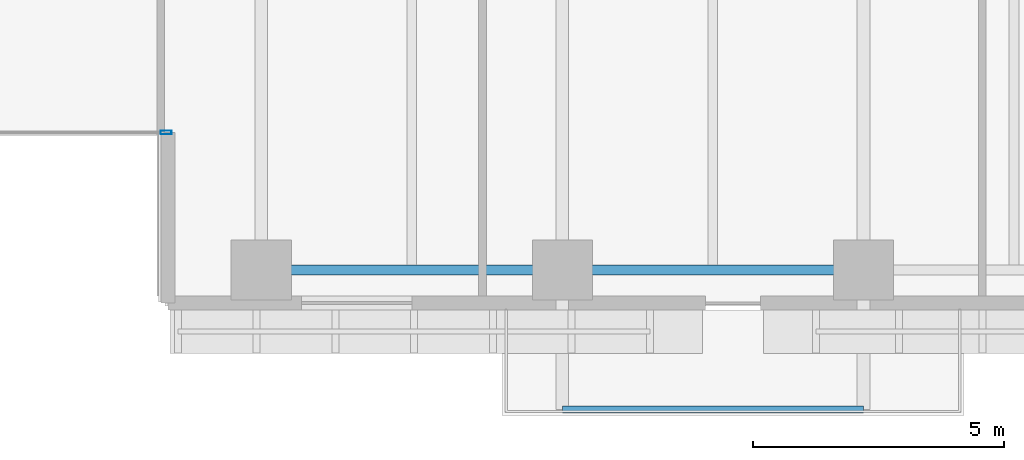
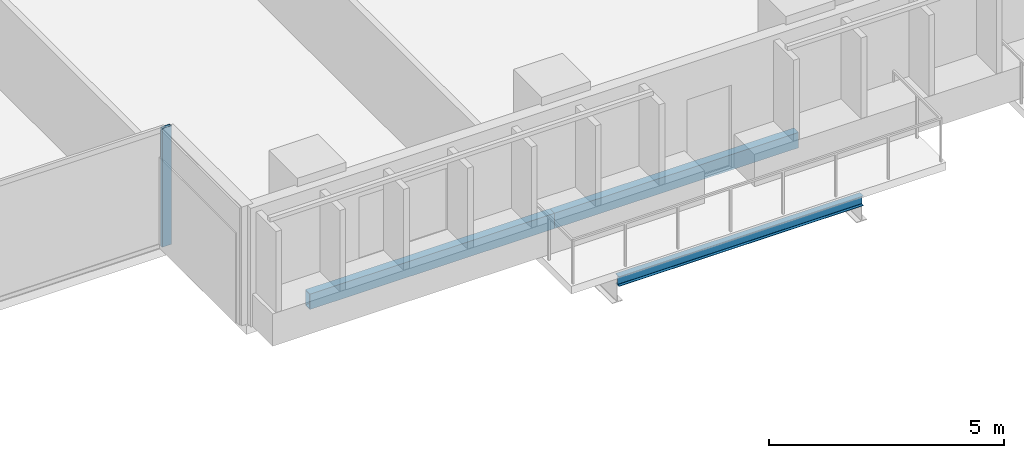
# One storey, part 4 of 25: 3 beams, 1 member, 1 element without a shape of its own.
"""IFC4 building model written with IfcOpenShell, lengths in metres."""

from ifc_helpers import new_model, si_unit, direction, frame, origin, origin_2d, place, context, subcontext, project, spatial, hollow_rectangle, i_section, extrude, material, layer, layer_set, material_profile, profile_set, type_object, element, aggregate, save


model = new_model("IFC4")

# Units and contexts
model_context = context("Model", 3, precision=1e-05, world=origin(), true_north=direction((0.0, 1.0)))
body_context = subcontext(model_context, "Body", "Model", "MODEL_VIEW")
ifc_project = project(units=[si_unit("LENGTHUNIT", "METRE"), si_unit("AREAUNIT", "SQUARE_METRE"), si_unit("VOLUMEUNIT", "CUBIC_METRE"), si_unit("PLANEANGLEUNIT", "RADIAN"), si_unit("MASSUNIT", "GRAM", prefix="KILO")], contexts=[model_context])

# Site, building, storey
site_placement = place(None, origin())
site = spatial("IfcSite", under=ifc_project, at=site_placement, CompositionType="ELEMENT")
building_placement = place(site_placement, origin())
building = spatial("IfcBuilding", under=site, at=building_placement, Name="Tanjung Sevakor Pilgrim Tower", CompositionType="ELEMENT")
storey_placement = place(building_placement, frame((0.0, 0.0, 42.239990234375)))
storey = spatial("IfcBuildingStorey", under=building, at=storey_placement, Name="L11", CompositionType="ELEMENT", Elevation=42.239990234375)

# Beams
ifc_material_1 = material(Name="Steel S355J2", Category="steel")
ifc_material_profile_1 = material_profile(ifc_material_1, i_section(OverallWidth=0.146484375, OverallDepth=0.256103515625, WebThickness=0.00634765625, FlangeThickness=0.010986328125, FilletRadius=0.007568359375, at=origin_2d()))
ifc_profile_set_1 = profile_set([ifc_material_profile_1], Name="Steel S355J2")
beam_type_1 = type_object("IfcBeamType", Name="BM-B-J6-UB_254x146x37", PredefinedType="JOIST", material=ifc_profile_set_1)
beam_placement = place(storey_placement, frame((60.0, 5.6201171875, -0.327880859375), z_axis=(1.0, 0.0, 0.0), x_axis=(0.0, 1.0, 0.0)))
element("IfcBeam", 1, at=beam_placement, inside=storey, type_object=beam_type_1, Name="L11 Balcony Rim Tie MAIN-S2", PredefinedType="JOIST", context=body_context, shape_type="SweptSolid", body=[
    extrude(i_section(OverallWidth=0.146484375, OverallDepth=0.256103515625, WebThickness=0.00634765625, FlangeThickness=0.010986328125, FilletRadius=0.007568359375, at=origin_2d()), origin(), (0.0, 0.0, 1.0), 6.0),
])
ifc_material_2 = material(Name="Steel S355J2", Category="steel")
ifc_material_profile_2 = material_profile(ifc_material_2, hollow_rectangle(XDim=0.199951171875, YDim=0.39990234375, WallThickness=0.01611328125, at=origin_2d()))
ifc_profile_set_2 = profile_set([ifc_material_profile_2], Name="Steel S355J2")
beam_type_2 = type_object("IfcBeamType", Name="BM-B-SP2-RHS_400x200x16", PredefinedType="SPANDREL", material=ifc_profile_set_2)
for number, where, z_axis, x_axis, name in (
    (2, (54.0, 8.39990234375, -0.419921875), (1.0, 0.0, 0.0), (0.0, 1.0, 0.0), "L11 Spandrel MAIN S-07"),
    (3, (60.0, 8.39990234375, -0.419921875), (1.0, 0.0, 0.0), (0.0, 1.0, 0.0), "L11 Spandrel MAIN S-09"),
):
    element("IfcBeam", number, at=place(storey_placement, frame(where, z_axis=z_axis, x_axis=x_axis)), inside=storey, type_object=beam_type_2, Name=name, PredefinedType="SPANDREL", context=body_context, shape_type="SweptSolid", body=[
        extrude(hollow_rectangle(XDim=0.199951171875, YDim=0.39990234375, WallThickness=0.01611328125, at=origin_2d()), origin(), (0.0, 0.0, 1.0), 6.0),
    ])

# Curtain wall, member
ifc_material_3 = material(Name="Aluminium 6063-T6 and Low-E Glass", Category="aluminium")
ifc_layer = layer(ifc_material_3, 0.179931640625)
ifc_layer_set = layer_set([ifc_layer], Name="CW-SYS-CLEFT")
curtain_wall_type = type_object("IfcCurtainWallType", Name="CW-SYS-CLEFT", PredefinedType="NOTDEFINED", material=ifc_layer_set)
curtain_wall_placement = place(storey_placement, origin())
curtain_wall = element("IfcCurtainWall", 4, at=curtain_wall_placement, inside=storey, type_object=curtain_wall_type, Name="L11 Curtain Wall CW-CLF-L11-2", PredefinedType="NOTDEFINED")
ifc_material_4 = material(Name="Aluminium 6063-T6", Category="aluminium")
ifc_material_profile_3 = material_profile(ifc_material_4, hollow_rectangle(XDim=0.074951171875, YDim=0.219970703125, WallThickness=0.0048828125, at=origin_2d()))
ifc_profile_set_3 = profile_set([ifc_material_profile_3], Name="Aluminium 6063-T6")
member_type = type_object("IfcMemberType", Name="TYPE-CWM-2", PredefinedType="MULLION", material=ifc_profile_set_3)
member_placement = place(storey_placement, frame((52.1025390625, 11.139892578125, 0.0), z_axis=(0.0, 0.0, 1.0), x_axis=(0.0, 1.0, 0.0)))
member = element("IfcMember", 5, at=member_placement, type_object=member_type, Name="CW-CLF mullion 2", PredefinedType="MULLION", context=body_context, shape_type="SweptSolid", body=[
    extrude(hollow_rectangle(XDim=0.074951171875, YDim=0.219970703125, WallThickness=0.0048828125, at=origin_2d()), origin(), (0.0, 0.0, 1.0), 3.080078125),
])
aggregate(curtain_wall, [member])

save(model, "model.ifc")
